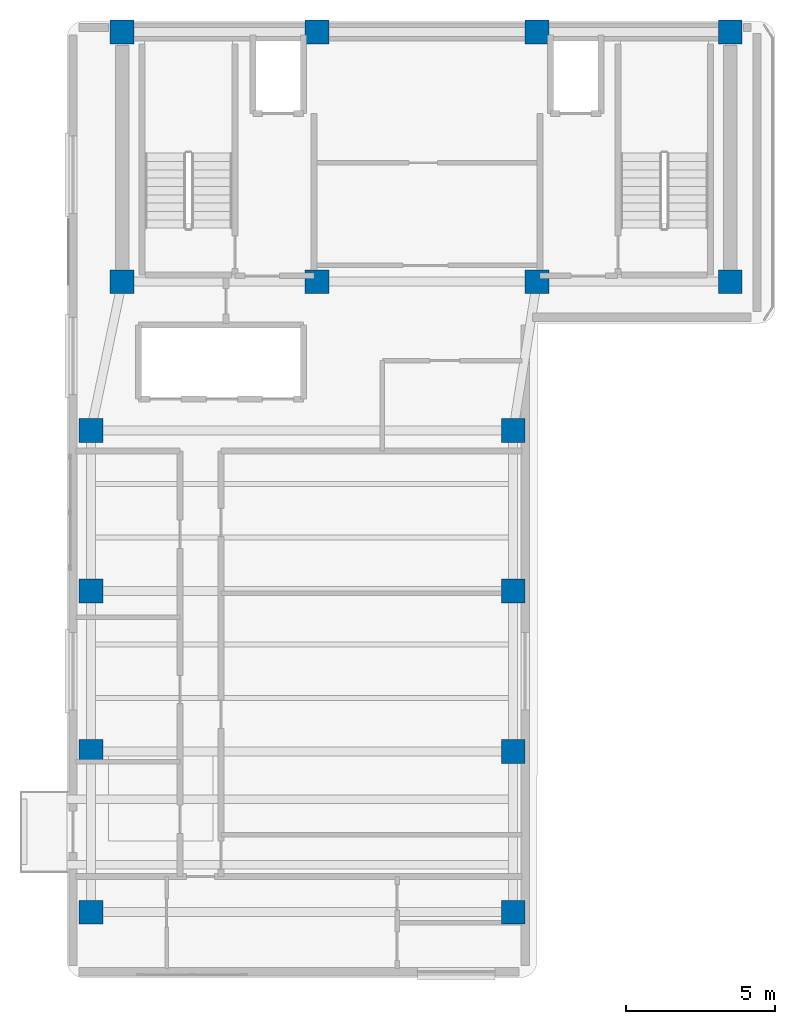
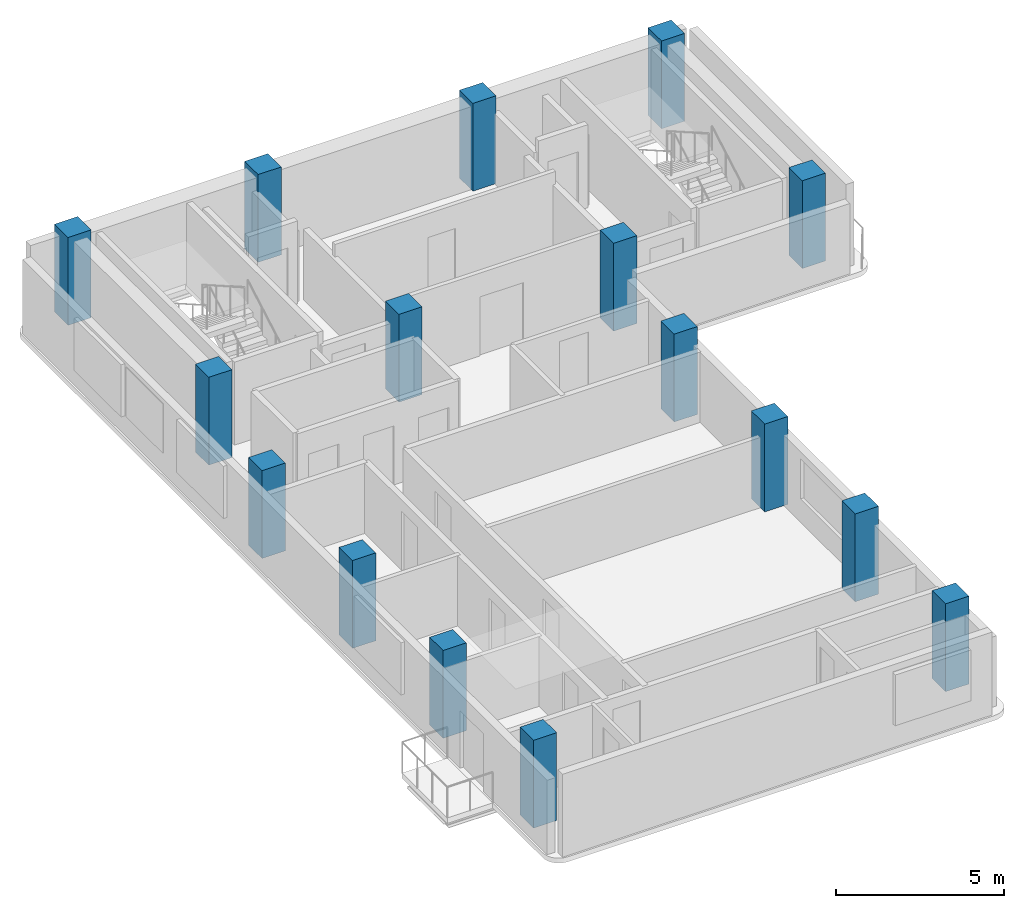
# One storey, part 1 of 11: 16 columns.
"""IFC4 building model written with IfcOpenShell, lengths in metres."""

from ifc_helpers import new_model, si_unit, direction, frame, origin, origin_2d, place, context, subcontext, project, spatial, rectangle, extrude, material, material_profile, profile_set, type_object, element, save


model = new_model("IFC4")

# Units and contexts
model_context = context("Model", 3, precision=1e-05, world=origin(), true_north=direction((0.0, 1.0)))
body_context = subcontext(model_context, "Body", "Model", "MODEL_VIEW")
ifc_project = project(units=[si_unit("LENGTHUNIT", "METRE"), si_unit("AREAUNIT", "SQUARE_METRE"), si_unit("VOLUMEUNIT", "CUBIC_METRE"), si_unit("PLANEANGLEUNIT", "RADIAN"), si_unit("MASSUNIT", "GRAM", prefix="KILO")], contexts=[model_context])

# Site, building, storey
site_placement = place(None, origin())
site = spatial("IfcSite", under=ifc_project, at=site_placement, CompositionType="ELEMENT")
building_placement = place(site_placement, origin())
building = spatial("IfcBuilding", under=site, at=building_placement, Name="Kuzgunbayir Cultural Tower", CompositionType="ELEMENT")
storey_placement = place(building_placement, frame((0.0, 0.0, 244.0)))
storey = spatial("IfcBuildingStorey", under=building, at=storey_placement, Name="L72", CompositionType="ELEMENT", Elevation=244.0)

# Columns
ifc_material = material(Name="Concrete C50/60", Category="concrete")
ifc_material_profile_1 = material_profile(ifc_material, rectangle(XDim=0.800048828125, YDim=0.800048828125, at=origin_2d()), Name="RC 800x800")
ifc_profile_set_1 = profile_set([ifc_material_profile_1], Name="Concrete C50/60")
column_type_1 = type_object("IfcColumnType", Name="COL-CORE-800", PredefinedType="COLUMN", material=ifc_profile_set_1)
for number, where, z_axis, x_axis, name in (
    (1, (6.449951171875, 33.800048828125, 0.0), (0.0, 0.0, 1.0), (1.0, 0.0, 0.0), "L72 T1 Core Boundary Column CC1-1"),
    (2, (13.0, 33.800048828125, 0.0), (0.0, 0.0, 1.0), (1.0, 0.0, 0.0), "L72 T1 Core Boundary Column CC1-2"),
    (3, (20.39990234375, 33.800048828125, 0.0), (0.0, 0.0, 1.0), (1.0, 0.0, 0.0), "L72 T1 Core Boundary Column CC1-3"),
    (4, (26.89990234375, 33.800048828125, 0.0), (0.0, 0.0, 1.0), (1.0, 0.0, 0.0), "L72 T1 Core Boundary Column CC1-4"),
    (5, (6.449951171875, 42.199951171875, 0.0), (0.0, 0.0, 1.0), (1.0, 0.0, 0.0), "L72 T1 Core Boundary Column CC1-5"),
    (6, (13.0, 42.199951171875, 0.0), (0.0, 0.0, 1.0), (1.0, 0.0, 0.0), "L72 T1 Core Boundary Column CC1-6"),
    (7, (20.39990234375, 42.199951171875, 0.0), (0.0, 0.0, 1.0), (1.0, 0.0, 0.0), "L72 T1 Core Boundary Column CC1-7"),
    (8, (26.89990234375, 42.199951171875, 0.0), (0.0, 0.0, 1.0), (1.0, 0.0, 0.0), "L72 T1 Core Boundary Column CC1-8"),
):
    element("IfcColumn", number, at=place(storey_placement, frame(where, z_axis=z_axis, x_axis=x_axis)), inside=storey, type_object=column_type_1, Name=name, PredefinedType="COLUMN", context=body_context, shape_type="SweptSolid", body=[
        extrude(rectangle(XDim=0.800048828125, YDim=0.800048828125, at=origin_2d()), origin(), (0.0, 0.0, 1.0), 3.199951171875),
    ])
ifc_material_profile_2 = material_profile(ifc_material, rectangle(XDim=0.800048828125, YDim=0.800048828125, at=origin_2d()), Name="RC 800x800")
ifc_profile_set_2 = profile_set([ifc_material_profile_2], Name="Concrete C50/60")
column_type_2 = type_object("IfcColumnType", Name="COL-T1-800", PredefinedType="COLUMN", material=ifc_profile_set_2)
for number, where, z_axis, x_axis, name in (
    (9, (5.39990234375, 12.60009765625, 0.0), (0.0, 0.0, 1.0), (1.0, 0.0, 0.0), "L72 Tower 1 Wing A Column T1A-W-1"),
    (10, (19.60009765625, 12.60009765625, 0.0), (0.0, 0.0, 1.0), (1.0, 0.0, 0.0), "L72 Tower 1 Wing A Column T1A-E-1"),
    (11, (5.39990234375, 18.0, 0.0), (0.0, 0.0, 1.0), (1.0, 0.0, 0.0), "L72 Tower 1 Wing A Column T1A-W-2"),
    (12, (19.60009765625, 18.0, 0.0), (0.0, 0.0, 1.0), (1.0, 0.0, 0.0), "L72 Tower 1 Wing A Column T1A-E-2"),
    (13, (5.39990234375, 23.39990234375, 0.0), (0.0, 0.0, 1.0), (1.0, 0.0, 0.0), "L72 Tower 1 Wing A Column T1A-W-3"),
    (14, (19.60009765625, 23.39990234375, 0.0), (0.0, 0.0, 1.0), (1.0, 0.0, 0.0), "L72 Tower 1 Wing A Column T1A-E-3"),
    (15, (5.39990234375, 28.800048828125, 0.0), (0.0, 0.0, 1.0), (1.0, 0.0, 0.0), "L72 Tower 1 Wing A Column T1A-W-4"),
    (16, (19.60009765625, 28.800048828125, 0.0), (0.0, 0.0, 1.0), (1.0, 0.0, 0.0), "L72 Tower 1 Wing A Column T1A-E-4"),
):
    element("IfcColumn", number, at=place(storey_placement, frame(where, z_axis=z_axis, x_axis=x_axis)), inside=storey, type_object=column_type_2, Name=name, PredefinedType="COLUMN", context=body_context, shape_type="SweptSolid", body=[
        extrude(rectangle(XDim=0.800048828125, YDim=0.800048828125, at=origin_2d()), origin(), (0.0, 0.0, 1.0), 3.199951171875),
    ])

save(model, "model.ifc")
